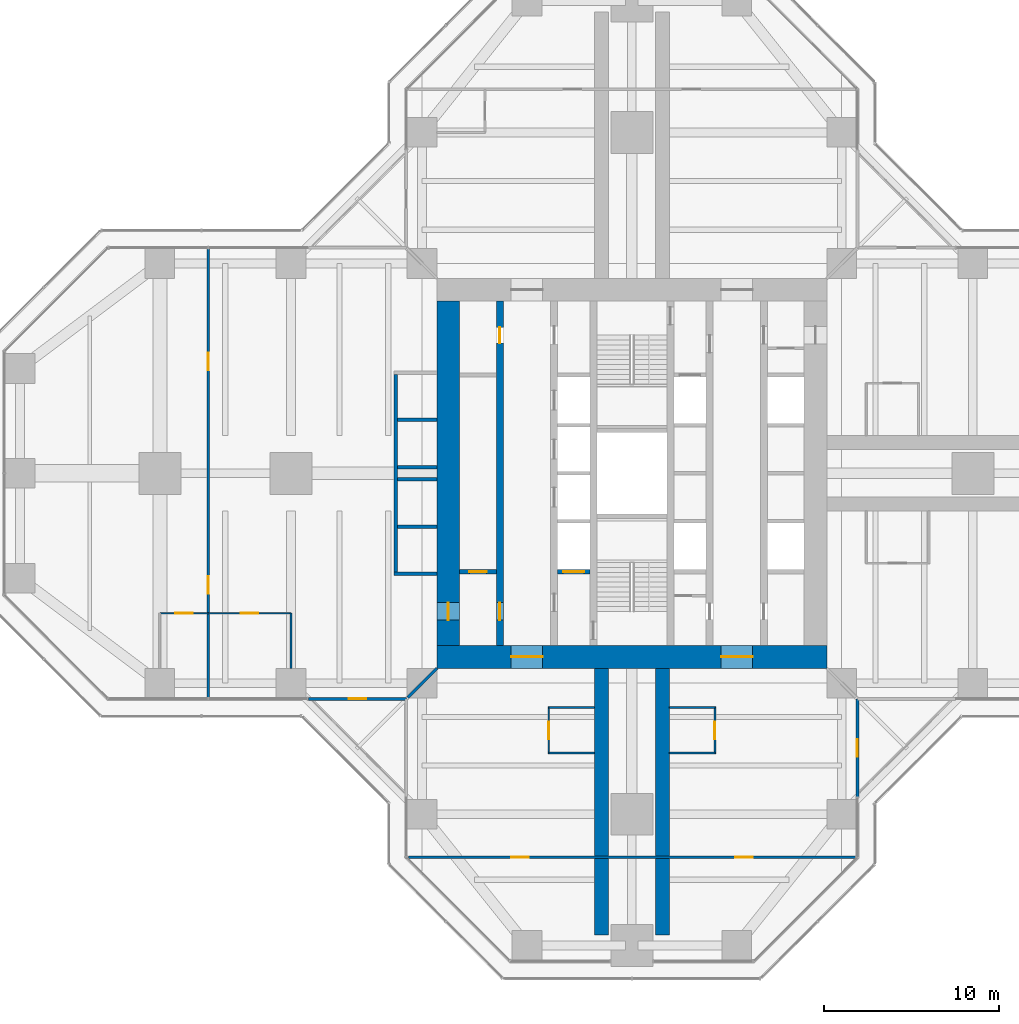
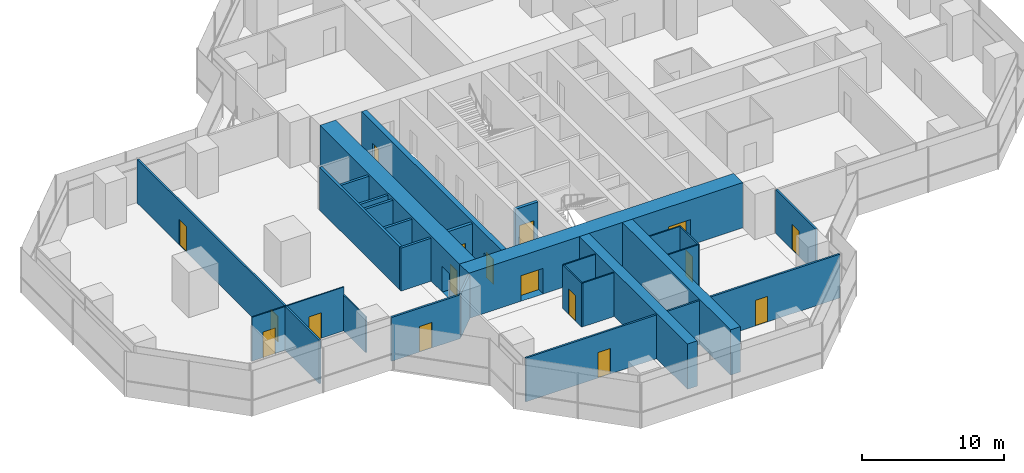
# One storey, part 15 of 20: 27 walls, 17 doors, 17 openings.
"""IFC4 building model written with IfcOpenShell, lengths in metres."""

from ifc_helpers import new_model, si_unit, direction, frame, frame_2d, origin, place, context, subcontext, project, spatial, rectangle, extrude, material, layer, layer_set, type_object, element, fill, save


model = new_model("IFC4")

# Units and contexts
model_context = context("Model", 3, precision=1e-05, world=origin(), true_north=direction((0.0, 1.0)))
body_context = subcontext(model_context, "Body", "Model", "MODEL_VIEW")
ifc_project = project(units=[si_unit("LENGTHUNIT", "METRE"), si_unit("AREAUNIT", "SQUARE_METRE"), si_unit("VOLUMEUNIT", "CUBIC_METRE"), si_unit("PLANEANGLEUNIT", "RADIAN"), si_unit("MASSUNIT", "GRAM", prefix="KILO")], contexts=[model_context])

# Site, building, storey
site_placement = place(None, origin())
site = spatial("IfcSite", under=ifc_project, at=site_placement, CompositionType="ELEMENT")
building_placement = place(site_placement, origin())
building = spatial("IfcBuilding", under=site, at=building_placement, Name="Mizan Broadcast Tower", CompositionType="ELEMENT")
storey_placement = place(building_placement, frame((0.0, 0.0, 190.5)))
storey = spatial("IfcBuildingStorey", under=building, at=storey_placement, Name="L44", CompositionType="ELEMENT", Elevation=190.5)

# Wall, openings, doors
ifc_material_1 = material(Name="Concrete C70/85", Category="concrete")
ifc_layer_1 = layer(ifc_material_1, 0.39990234375)
ifc_layer_set_1 = layer_set([ifc_layer_1], Name="Concrete C70/85")
wall_type_1 = type_object("IfcWallType", Name="CORE INTERNAL WALL 400", PredefinedType="SHEAR", material=ifc_layer_set_1)
wall_1_placement = place(storey_placement, frame((-7.550048828125, -9.85009765625, 0.0), z_axis=(0.0, 0.0, 1.0), x_axis=(0.0, 1.0, 0.0)))
wall_1 = element("IfcWall", 1, at=wall_1_placement, inside=storey, type_object=wall_type_1, Name="Core wall CORE/XW1", PredefinedType="SHEAR", context=body_context, shape_type="SweptSolid", body=[
    extrude(rectangle(XDim=19.7001953125, YDim=0.39990234375, at=frame_2d((9.85009765625, 0.0))), origin(), (0.0, 0.0, 1.0), 3.89990234375),
])
opening_1_placement = place(wall_1_placement, frame((1.449951171875, 0.0, 0.0)))
opening_1 = element("IfcOpeningElement", 2, at=opening_1_placement, cuts=wall_1, Name="Opening D10F", PredefinedType="OPENING", context=body_context, shape_type="SweptSolid", body=[
    extrude(rectangle(XDim=1.0, YDim=2.199951171875, at=frame_2d((0.5, 1.10009765625))), frame((0.0, 0.2099609375, 0.0), z_axis=(0.0, -1.0, 0.0), x_axis=(1.0, 0.0, 0.0)), (0.0, 0.0, 1.0), 0.419921875),
])
opening_2_placement = place(wall_1_placement, frame((17.300048828125, 0.0, 0.0)))
opening_2 = element("IfcOpeningElement", 3, at=opening_2_placement, cuts=wall_1, Name="Opening D09", PredefinedType="OPENING", context=body_context, shape_type="SweptSolid", body=[
    extrude(rectangle(XDim=0.89990234375, YDim=2.10009765625, at=frame_2d((0.449951171875, 1.050048828125))), frame((0.0, 0.2099609375, 0.0), z_axis=(0.0, -1.0, 0.0), x_axis=(1.0, 0.0, 0.0)), (0.0, 0.0, 1.0), 0.419921875),
])
ifc_material_2 = material(Name="Steel door leaf in steel frame", Category="steel")
door_type_1 = type_object("IfcDoorType", Name="FIRE DOOR 1000 FD90", OperationType="SINGLE_SWING_LEFT", PredefinedType="DOOR", material=ifc_material_2)
door_1_placement = place(opening_1_placement, origin())
door_1 = element("IfcDoor", 4, at=door_1_placement, inside=storey, type_object=door_type_1, Name="West core passage door", OperationType="SINGLE_SWING_LEFT", OverallHeight=2.199951171875, OverallWidth=1.0, PredefinedType="DOOR", context=body_context, shape_type="SweptSolid", body=[
    extrude(rectangle(XDim=1.0, YDim=2.199951171875, at=frame_2d((0.5, 1.10009765625))), frame((0.0, 0.02490234375, 0.0), z_axis=(0.0, -1.0, 0.0), x_axis=(1.0, 0.0, 0.0)), (0.0, 0.0, 1.0), 0.050048828125),
])
fill(opening_1, door_1)
ifc_material_3 = material(Name="Timber door leaf in aluminium frame", Category="wood")
door_type_2 = type_object("IfcDoorType", Name="TOILET DOOR 900", OperationType="SINGLE_SWING_LEFT", PredefinedType="DOOR", material=ifc_material_3)
door_2_placement = place(opening_2_placement, origin())
door_2 = element("IfcDoor", 5, at=door_2_placement, inside=storey, type_object=door_type_2, Name="Male WC door", OperationType="SINGLE_SWING_RIGHT", OverallHeight=2.10009765625, OverallWidth=0.89990234375, PredefinedType="DOOR", context=body_context, shape_type="SweptSolid", body=[
    extrude(rectangle(XDim=0.89990234375, YDim=2.10009765625, at=frame_2d((0.449951171875, 1.050048828125))), frame((0.0, 0.02490234375, 0.0), z_axis=(0.0, -1.0, 0.0), x_axis=(1.0, 0.0, 0.0)), (0.0, 0.0, 1.0), 0.050048828125),
])
fill(opening_2, door_2)

ifc_material_4 = material(Name="Concrete C70/85", Category="concrete")
ifc_layer_2 = layer(ifc_material_4, 1.300048828125)
ifc_layer_set_2 = layer_set([ifc_layer_2], Name="Concrete C70/85")
wall_type_2 = type_object("IfcWallType", Name="CORE WALL 1300", PredefinedType="SHEAR", material=ifc_layer_set_2)
wall_2_placement = place(storey_placement, frame((11.14990234375, -10.5, 0.0), z_axis=(0.0, 0.0, 1.0), x_axis=(-1.0, 0.0, 0.0)))
wall_2 = element("IfcWall", 6, at=wall_2_placement, inside=storey, type_object=wall_type_2, Name="Core wall S L44", PredefinedType="SHEAR", context=body_context, shape_type="SweptSolid", body=[
    extrude(rectangle(XDim=22.2998046875, YDim=1.300048828125, at=frame_2d((11.14990234375, 0.0))), origin(), (0.0, 0.0, 1.0), 3.89990234375),
])
opening_3_placement = place(wall_2_placement, frame((16.25, 0.0, 0.0)))
opening_3 = element("IfcOpeningElement", 7, at=opening_3_placement, cuts=wall_2, Name="Opening D18F", PredefinedType="OPENING", context=body_context, shape_type="SweptSolid", body=[
    extrude(rectangle(XDim=1.800048828125, YDim=2.199951171875, at=frame_2d((0.89990234375, 1.10009765625))), frame((0.0, 0.659912109375, 0.0), z_axis=(0.0, -1.0, 0.0), x_axis=(1.0, 0.0, 0.0)), (0.0, 0.0, 1.0), 1.320068359375),
])
opening_4_placement = place(wall_2_placement, frame((4.25, 0.0, 0.0)))
opening_4 = element("IfcOpeningElement", 8, at=opening_4_placement, cuts=wall_2, Name="Opening D18F", PredefinedType="OPENING", context=body_context, shape_type="SweptSolid", body=[
    extrude(rectangle(XDim=1.800048828125, YDim=2.199951171875, at=frame_2d((0.89990234375, 1.10009765625))), frame((0.0, 0.659912109375, 0.0), z_axis=(0.0, -1.0, 0.0), x_axis=(1.0, 0.0, 0.0)), (0.0, 0.0, 1.0), 1.320068359375),
])
ifc_material_5 = material(Name="Steel door leaf in steel frame", Category="steel")
door_type_3 = type_object("IfcDoorType", Name="LOBBY DOUBLE DOOR 1800 FD90", OperationType="DOUBLE_DOOR_DOUBLE_SWING", PredefinedType="DOOR", material=ifc_material_5)
door_3_placement = place(opening_3_placement, origin())
door_3 = element("IfcDoor", 9, at=door_3_placement, inside=storey, type_object=door_type_3, Name="West lift lobby south door", OperationType="DOUBLE_DOOR_DOUBLE_SWING", OverallHeight=2.199951171875, OverallWidth=1.800048828125, PredefinedType="DOOR", context=body_context, shape_type="SweptSolid", body=[
    extrude(rectangle(XDim=1.800048828125, YDim=2.199951171875, at=frame_2d((0.89990234375, 1.10009765625))), frame((0.0, 0.02490234375, 0.0), z_axis=(0.0, -1.0, 0.0), x_axis=(1.0, 0.0, 0.0)), (0.0, 0.0, 1.0), 0.050048828125),
])
fill(opening_3, door_3)
door_4_placement = place(opening_4_placement, origin())
door_4 = element("IfcDoor", 10, at=door_4_placement, inside=storey, type_object=door_type_3, Name="East lift lobby south door", OperationType="DOUBLE_DOOR_DOUBLE_SWING", OverallHeight=2.199951171875, OverallWidth=1.800048828125, PredefinedType="DOOR", context=body_context, shape_type="SweptSolid", body=[
    extrude(rectangle(XDim=1.800048828125, YDim=2.199951171875, at=frame_2d((0.89990234375, 1.10009765625))), frame((0.0, 0.02490234375, 0.0), z_axis=(0.0, -1.0, 0.0), x_axis=(1.0, 0.0, 0.0)), (0.0, 0.0, 1.0), 0.050048828125),
])
fill(opening_4, door_4)

# Wall, opening, door
wall_3_placement = place(storey_placement, frame((-10.5, 9.85009765625, 0.0), z_axis=(0.0, 0.0, 1.0), x_axis=(0.0, -1.0, 0.0)))
wall_3 = element("IfcWall", 11, at=wall_3_placement, inside=storey, type_object=wall_type_2, Name="Core wall W L44", PredefinedType="SHEAR", context=body_context, shape_type="SweptSolid", body=[
    extrude(rectangle(XDim=19.7001953125, YDim=1.300048828125, at=frame_2d((9.85009765625, 0.0))), origin(), (0.0, 0.0, 1.0), 3.89990234375),
])
opening_5_placement = place(wall_3_placement, frame((17.25, 0.0, 0.0)))
opening_5 = element("IfcOpeningElement", 12, at=opening_5_placement, cuts=wall_3, Name="Opening D10F", PredefinedType="OPENING", context=body_context, shape_type="SweptSolid", body=[
    extrude(rectangle(XDim=1.0, YDim=2.199951171875, at=frame_2d((0.5, 1.10009765625))), frame((0.0, 0.659912109375, 0.0), z_axis=(0.0, -1.0, 0.0), x_axis=(1.0, 0.0, 0.0)), (0.0, 0.0, 1.0), 1.320068359375),
])
door_5_placement = place(opening_5_placement, origin())
door_5 = element("IfcDoor", 13, at=door_5_placement, inside=storey, type_object=door_type_1, Name="West core passage arm door", OperationType="SINGLE_SWING_RIGHT", OverallHeight=2.199951171875, OverallWidth=1.0, PredefinedType="DOOR", context=body_context, shape_type="SweptSolid", body=[
    extrude(rectangle(XDim=1.0, YDim=2.199951171875, at=frame_2d((0.5, 1.10009765625))), frame((0.0, 0.02490234375, 0.0), z_axis=(0.0, -1.0, 0.0), x_axis=(1.0, 0.0, 0.0)), (0.0, 0.0, 1.0), 0.050048828125),
])
fill(opening_5, door_5)

ifc_material_6 = material(Name="Aluminium framed glazed screen", Category="aluminium")
ifc_layer_3 = layer(ifc_material_6, 0.159912109375)
ifc_layer_set_3 = layer_set([ifc_layer_3], Name="Aluminium framed glazed screen")
wall_type_3 = type_object("IfcWallType", Name="GLAZED SCREEN WALL 160", PredefinedType="SOLIDWALL", material=ifc_layer_set_3)
wall_4_placement = place(storey_placement, frame((-18.5, -12.89990234375, 0.0), z_axis=(0.0, 0.0, 1.0), x_axis=(1.0, 0.0, 0.0)))
wall_4 = element("IfcWall", 14, at=wall_4_placement, inside=storey, type_object=wall_type_3, Name="Winter garden screen L44 W", PredefinedType="SOLIDWALL", context=body_context, shape_type="SweptSolid", body=[
    extrude(rectangle(XDim=5.60009765625, YDim=0.159912109375, at=frame_2d((2.800048828125, 0.0))), origin(), (0.0, 0.0, 1.0), 3.77001953125),
])
opening_6_placement = place(wall_4_placement, frame((2.300048828125, 0.0, 0.0)))
opening_6 = element("IfcOpeningElement", 15, at=opening_6_placement, cuts=wall_4, Name="Opening WGD", PredefinedType="OPENING", context=body_context, shape_type="SweptSolid", body=[
    extrude(rectangle(XDim=1.0, YDim=2.199951171875, at=frame_2d((0.5, 1.10009765625))), frame((0.0, 0.08984375, 0.0), z_axis=(0.0, -1.0, 0.0), x_axis=(1.0, 0.0, 0.0)), (0.0, 0.0, 1.0), 0.179931640625),
])
ifc_material_7 = material(Name="Aluminium framed glazed door", Category="aluminium")
door_type_4 = type_object("IfcDoorType", Name="WINTER GARDEN DOOR 1000 GLAZED", OperationType="SINGLE_SWING_LEFT", PredefinedType="DOOR", material=ifc_material_7)
door_6_placement = place(opening_6_placement, origin())
door_6 = element("IfcDoor", 16, at=door_6_placement, inside=storey, type_object=door_type_4, Name="Winter garden door L44 W", OperationType="SINGLE_SWING_RIGHT", OverallHeight=2.199951171875, OverallWidth=1.0, PredefinedType="DOOR", context=body_context, shape_type="SweptSolid", body=[
    extrude(rectangle(XDim=1.0, YDim=2.199951171875, at=frame_2d((0.5, 1.10009765625))), frame((0.0, 0.02490234375, 0.0), z_axis=(0.0, -1.0, 0.0), x_axis=(1.0, 0.0, 0.0)), (0.0, 0.0, 1.0), 0.050048828125),
])
fill(opening_6, door_6)

wall_5_placement = place(storey_placement, frame((12.89990234375, -18.5, 0.0), z_axis=(0.0, 0.0, 1.0), x_axis=(0.0, 1.0, 0.0)))
wall_5 = element("IfcWall", 17, at=wall_5_placement, inside=storey, type_object=wall_type_3, Name="Winter garden screen L44 S", PredefinedType="SOLIDWALL", context=body_context, shape_type="SweptSolid", body=[
    extrude(rectangle(XDim=5.60009765625, YDim=0.159912109375, at=frame_2d((2.800048828125, 0.0))), origin(), (0.0, 0.0, 1.0), 3.77001953125),
])
opening_7_placement = place(wall_5_placement, frame((2.300048828125, 0.0, 0.0)))
opening_7 = element("IfcOpeningElement", 18, at=opening_7_placement, cuts=wall_5, Name="Opening WGD", PredefinedType="OPENING", context=body_context, shape_type="SweptSolid", body=[
    extrude(rectangle(XDim=1.0, YDim=2.199951171875, at=frame_2d((0.5, 1.10009765625))), frame((0.0, 0.08984375, 0.0), z_axis=(0.0, -1.0, 0.0), x_axis=(1.0, 0.0, 0.0)), (0.0, 0.0, 1.0), 0.179931640625),
])
door_7_placement = place(opening_7_placement, origin())
door_7 = element("IfcDoor", 19, at=door_7_placement, inside=storey, type_object=door_type_4, Name="Winter garden door L44 S", OperationType="SINGLE_SWING_RIGHT", OverallHeight=2.199951171875, OverallWidth=1.0, PredefinedType="DOOR", context=body_context, shape_type="SweptSolid", body=[
    extrude(rectangle(XDim=1.0, YDim=2.199951171875, at=frame_2d((0.5, 1.10009765625))), frame((0.0, 0.02490234375, 0.0), z_axis=(0.0, -1.0, 0.0), x_axis=(1.0, 0.0, 0.0)), (0.0, 0.0, 1.0), 0.050048828125),
])
fill(opening_7, door_7)

# Walls
ifc_material_8 = material(Name="Concrete blockwork", Category="masonry")
ifc_layer_4 = layer(ifc_material_8, 0.199951171875)
ifc_layer_set_4 = layer_set([ifc_layer_4], Name="Concrete blockwork")
wall_type_4 = type_object("IfcWallType", Name="LIFT SHAFT WALL 200", PredefinedType="SOLIDWALL", material=ifc_layer_set_4)
wall_6_placement = place(storey_placement, frame((-13.5, 5.64990234375, 0.0), z_axis=(0.0, 0.0, 1.0), x_axis=(0.0, -1.0, 0.0)))
element("IfcWall", 20, at=wall_6_placement, inside=storey, type_object=wall_type_4, Name="Lift shaft wall LC/F", PredefinedType="SOLIDWALL", context=body_context, shape_type="SweptSolid", body=[
    extrude(rectangle(XDim=11.2998046875, YDim=0.199951171875, at=frame_2d((5.64990234375, 0.0))), origin(), (0.0, 0.0, 1.0), 3.699951171875),
])
wall_7_placement = place(storey_placement, frame((-11.14990234375, -5.75, 0.0), z_axis=(0.0, 0.0, 1.0), x_axis=(-1.0, 0.0, 0.0)))
element("IfcWall", 21, at=wall_7_placement, inside=storey, type_object=wall_type_4, Name="Lift shaft wall LC/S2", PredefinedType="SOLIDWALL", context=body_context, shape_type="SweptSolid", body=[
    extrude(rectangle(XDim=2.4501953125, YDim=0.199951171875, at=frame_2d((1.22509765625, 0.0))), origin(), (0.0, 0.0, 1.0), 3.699951171875),
])
for number, where, z_axis, x_axis, name in (
    (22, (-11.14990234375, 3.050048828125, 0.0), (0.0, 0.0, 1.0), (-1.0, 0.0, 0.0), "Lift shaft wall LC/SP1"),
    (23, (-11.14990234375, 0.35009765625, 0.0), (0.0, 0.0, 1.0), (-1.0, 0.0, 0.0), "Lift shaft wall LC/SP2"),
    (24, (-11.14990234375, -0.35009765625, 0.0), (0.0, 0.0, 1.0), (-1.0, 0.0, 0.0), "Lift shaft wall LC/SP3"),
    (25, (-11.14990234375, -3.050048828125, 0.0), (0.0, 0.0, 1.0), (-1.0, 0.0, 0.0), "Lift shaft wall LC/SP4"),
):
    element("IfcWall", number, at=place(storey_placement, frame(where, z_axis=z_axis, x_axis=x_axis)), inside=storey, type_object=wall_type_4, Name=name, PredefinedType="SOLIDWALL", context=body_context, shape_type="SweptSolid", body=[
        extrude(rectangle(XDim=2.25, YDim=0.199951171875, at=frame_2d((1.125, 0.0))), origin(), (0.0, 0.0, 1.0), 3.699951171875),
    ])

# Wall, opening, door
ifc_material_9 = material(Name="Concrete blockwork", Category="masonry")
ifc_layer_5 = layer(ifc_material_9, 0.25)
ifc_layer_set_5 = layer_set([ifc_layer_5], Name="Concrete blockwork")
wall_type_5 = type_object("IfcWallType", Name="LOBBY ENCLOSURE WALL 250", PredefinedType="SOLIDWALL", material=ifc_layer_set_5)
wall_8_placement = place(storey_placement, frame((-9.85009765625, -5.625, 0.0), z_axis=(0.0, 0.0, 1.0), x_axis=(1.0, 0.0, 0.0)))
wall_8 = element("IfcWall", 26, at=wall_8_placement, inside=storey, type_object=wall_type_5, Name="Lobby enclosure wall CORE/BW1S", PredefinedType="SOLIDWALL", context=body_context, shape_type="SweptSolid", body=[
    extrude(rectangle(XDim=2.10009765625, YDim=0.25, at=frame_2d((1.050048828125, 0.0))), origin(), (0.0, 0.0, 1.0), 3.699951171875),
])
opening_8_placement = place(wall_8_placement, frame((0.550048828125, 0.0, 0.0)))
opening_8 = element("IfcOpeningElement", 27, at=opening_8_placement, cuts=wall_8, Name="Opening D10F", PredefinedType="OPENING", context=body_context, shape_type="SweptSolid", body=[
    extrude(rectangle(XDim=1.0, YDim=2.199951171875, at=frame_2d((0.5, 1.10009765625))), frame((0.0, 0.135009765625, 0.0), z_axis=(0.0, -1.0, 0.0), x_axis=(1.0, 0.0, 0.0)), (0.0, 0.0, 1.0), 0.27001953125),
])
door_8_placement = place(opening_8_placement, origin())
door_8 = element("IfcDoor", 28, at=door_8_placement, inside=storey, type_object=door_type_1, Name="Furniture store door", OperationType="SINGLE_SWING_RIGHT", OverallHeight=2.199951171875, OverallWidth=1.0, PredefinedType="DOOR", context=body_context, shape_type="SweptSolid", body=[
    extrude(rectangle(XDim=1.0, YDim=2.199951171875, at=frame_2d((0.5, 1.10009765625))), frame((0.0, 0.02490234375, 0.0), z_axis=(0.0, -1.0, 0.0), x_axis=(1.0, 0.0, 0.0)), (0.0, 0.0, 1.0), 0.050048828125),
])
fill(opening_8, door_8)

wall_9_placement = place(storey_placement, frame((-4.25, -5.625, 0.0), z_axis=(0.0, 0.0, 1.0), x_axis=(1.0, 0.0, 0.0)))
wall_9 = element("IfcWall", 29, at=wall_9_placement, inside=storey, type_object=wall_type_5, Name="Lobby enclosure wall CORE/BW2S", PredefinedType="SOLIDWALL", context=body_context, shape_type="SweptSolid", body=[
    extrude(rectangle(XDim=1.85009765625, YDim=0.25, at=frame_2d((0.925048828125, 0.0))), origin(), (0.0, 0.0, 1.0), 3.699951171875),
])
opening_9_placement = place(wall_9_placement, frame((0.324951171875, 0.0, 0.0)))
opening_9 = element("IfcOpeningElement", 30, at=opening_9_placement, cuts=wall_9, Name="Opening LDF", PredefinedType="OPENING", context=body_context, shape_type="SweptSolid", body=[
    extrude(rectangle(XDim=1.199951171875, YDim=2.199951171875, at=frame_2d((0.60009765625, 1.10009765625))), frame((0.0, 0.135009765625, 0.0), z_axis=(0.0, -1.0, 0.0), x_axis=(1.0, 0.0, 0.0)), (0.0, 0.0, 1.0), 0.27001953125),
])
ifc_material_10 = material(Name="Steel door leaf in steel frame", Category="steel")
door_type_5 = type_object("IfcDoorType", Name="FIREFIGHTING LIFT LANDING DOOR 1200", OperationType="SLIDING_TO_LEFT", PredefinedType="DOOR", material=ifc_material_10)
door_9_placement = place(opening_9_placement, origin())
door_9 = element("IfcDoor", 31, at=door_9_placement, inside=storey, type_object=door_type_5, Name="Landing door FF1", OperationType="SLIDING_TO_LEFT", OverallHeight=2.199951171875, OverallWidth=1.199951171875, PredefinedType="DOOR", context=body_context, shape_type="SweptSolid", body=[
    extrude(rectangle(XDim=1.199951171875, YDim=2.199951171875, at=frame_2d((0.60009765625, 1.10009765625))), frame((0.0, 0.02490234375, 0.0), z_axis=(0.0, -1.0, 0.0), x_axis=(1.0, 0.0, 0.0)), (0.0, 0.0, 1.0), 0.050048828125),
])
fill(opening_9, door_9)

# Wall, openings, doors
ifc_material_11 = material(Name="Gypsum board on steel studs", Category="steel")
ifc_layer_6 = layer(ifc_material_11, 0.14990234375)
ifc_layer_set_6 = layer_set([ifc_layer_6], Name="Gypsum board on steel studs")
wall_type_6 = type_object("IfcWallType", Name="PARTITION 150", PredefinedType="PARTITIONING", material=ifc_layer_set_6)
wall_10_placement = place(storey_placement, frame((-24.22900390625, 12.820068359375, 0.0), z_axis=(0.0, 0.0, 1.0), x_axis=(0.0, -1.0, 0.0)))
wall_10 = element("IfcWall", 32, at=wall_10_placement, inside=storey, type_object=wall_type_6, Name="Partition PT/WX1", PredefinedType="PARTITIONING", context=body_context, shape_type="SweptSolid", body=[
    extrude(rectangle(XDim=25.64013671875, YDim=0.14990234375, at=frame_2d((12.820068359375, 0.0))), origin(), (0.0, 0.0, 1.0), 3.77001953125),
])
opening_10_placement = place(wall_10_placement, frame((18.719970703125, 0.0, 0.0)))
opening_10 = element("IfcOpeningElement", 33, at=opening_10_placement, cuts=wall_10, Name="Opening D10", PredefinedType="OPENING", context=body_context, shape_type="SweptSolid", body=[
    extrude(rectangle(XDim=1.0, YDim=2.199951171875, at=frame_2d((0.5, 1.10009765625))), frame((0.0, 0.0849609375, 0.0), z_axis=(0.0, -1.0, 0.0), x_axis=(1.0, 0.0, 0.0)), (0.0, 0.0, 1.0), 0.169921875),
])
opening_11_placement = place(wall_10_placement, frame((5.919921875, 0.0, 0.0)))
opening_11 = element("IfcOpeningElement", 34, at=opening_11_placement, cuts=wall_10, Name="Opening D10", PredefinedType="OPENING", context=body_context, shape_type="SweptSolid", body=[
    extrude(rectangle(XDim=1.0, YDim=2.199951171875, at=frame_2d((0.5, 1.10009765625))), frame((0.0, 0.0849609375, 0.0), z_axis=(0.0, -1.0, 0.0), x_axis=(1.0, 0.0, 0.0)), (0.0, 0.0, 1.0), 0.169921875),
])
ifc_material_12 = material(Name="Timber door leaf in aluminium frame", Category="wood")
door_type_6 = type_object("IfcDoorType", Name="ROOM DOOR 1000", OperationType="SINGLE_SWING_LEFT", PredefinedType="DOOR", material=ifc_material_12)
door_10_placement = place(opening_10_placement, origin())
door_10 = element("IfcDoor", 35, at=door_10_placement, inside=storey, type_object=door_type_6, Name="Meeting room door", OperationType="SINGLE_SWING_RIGHT", OverallHeight=2.199951171875, OverallWidth=1.0, PredefinedType="DOOR", context=body_context, shape_type="SweptSolid", body=[
    extrude(rectangle(XDim=1.0, YDim=2.199951171875, at=frame_2d((0.5, 1.10009765625))), frame((0.0, 0.02490234375, 0.0), z_axis=(0.0, -1.0, 0.0), x_axis=(1.0, 0.0, 0.0)), (0.0, 0.0, 1.0), 0.050048828125),
])
fill(opening_10, door_10)
door_11_placement = place(opening_11_placement, origin())
door_11 = element("IfcDoor", 36, at=door_11_placement, inside=storey, type_object=door_type_6, Name="Meeting room door", OperationType="SINGLE_SWING_LEFT", OverallHeight=2.199951171875, OverallWidth=1.0, PredefinedType="DOOR", context=body_context, shape_type="SweptSolid", body=[
    extrude(rectangle(XDim=1.0, YDim=2.199951171875, at=frame_2d((0.5, 1.10009765625))), frame((0.0, 0.02490234375, 0.0), z_axis=(0.0, -1.0, 0.0), x_axis=(1.0, 0.0, 0.0)), (0.0, 0.0, 1.0), 0.050048828125),
])
fill(opening_11, door_11)

wall_11_placement = place(storey_placement, frame((-12.786376953125, -21.958984375, 0.0), z_axis=(0.0, 0.0, 1.0), x_axis=(1.0, 0.0, 0.0)))
wall_11 = element("IfcWall", 37, at=wall_11_placement, inside=storey, type_object=wall_type_6, Name="Partition PT/SX1", PredefinedType="PARTITIONING", context=body_context, shape_type="SweptSolid", body=[
    extrude(rectangle(XDim=25.57275390625, YDim=0.14990234375, at=frame_2d((12.786376953125, 0.0))), origin(), (0.0, 0.0, 1.0), 3.77001953125),
])
opening_12_placement = place(wall_11_placement, frame((18.6865234375, 0.0, 0.0)))
opening_12 = element("IfcOpeningElement", 38, at=opening_12_placement, cuts=wall_11, Name="Opening D10", PredefinedType="OPENING", context=body_context, shape_type="SweptSolid", body=[
    extrude(rectangle(XDim=1.0, YDim=2.199951171875, at=frame_2d((0.5, 1.10009765625))), frame((0.0, 0.0849609375, 0.0), z_axis=(0.0, -1.0, 0.0), x_axis=(1.0, 0.0, 0.0)), (0.0, 0.0, 1.0), 0.169921875),
])
opening_13_placement = place(wall_11_placement, frame((5.886474609375, 0.0, 0.0)))
opening_13 = element("IfcOpeningElement", 39, at=opening_13_placement, cuts=wall_11, Name="Opening D10", PredefinedType="OPENING", context=body_context, shape_type="SweptSolid", body=[
    extrude(rectangle(XDim=1.0, YDim=2.199951171875, at=frame_2d((0.5, 1.10009765625))), frame((0.0, 0.0849609375, 0.0), z_axis=(0.0, -1.0, 0.0), x_axis=(1.0, 0.0, 0.0)), (0.0, 0.0, 1.0), 0.169921875),
])
door_12_placement = place(opening_12_placement, origin())
door_12 = element("IfcDoor", 40, at=door_12_placement, inside=storey, type_object=door_type_6, Name="Meeting room door", OperationType="SINGLE_SWING_RIGHT", OverallHeight=2.199951171875, OverallWidth=1.0, PredefinedType="DOOR", context=body_context, shape_type="SweptSolid", body=[
    extrude(rectangle(XDim=1.0, YDim=2.199951171875, at=frame_2d((0.5, 1.10009765625))), frame((0.0, 0.02490234375, 0.0), z_axis=(0.0, -1.0, 0.0), x_axis=(1.0, 0.0, 0.0)), (0.0, 0.0, 1.0), 0.050048828125),
])
fill(opening_12, door_12)
door_13_placement = place(opening_13_placement, origin())
door_13 = element("IfcDoor", 41, at=door_13_placement, inside=storey, type_object=door_type_6, Name="Meeting room door", OperationType="SINGLE_SWING_LEFT", OverallHeight=2.199951171875, OverallWidth=1.0, PredefinedType="DOOR", context=body_context, shape_type="SweptSolid", body=[
    extrude(rectangle(XDim=1.0, YDim=2.199951171875, at=frame_2d((0.5, 1.10009765625))), frame((0.0, 0.02490234375, 0.0), z_axis=(0.0, -1.0, 0.0), x_axis=(1.0, 0.0, 0.0)), (0.0, 0.0, 1.0), 0.050048828125),
])
fill(opening_13, door_13)

# Wall
wall_12_placement = place(storey_placement, frame((-11.14990234375, -11.14990234375, 0.0), z_axis=(0.0, 0.0, 1.0), x_axis=(-0.707106781187, -0.707106781187, 0.0)))
element("IfcWall", 42, at=wall_12_placement, inside=storey, type_object=wall_type_6, Name="Partition PT/DGWS", PredefinedType="PARTITIONING", context=body_context, shape_type="SweptSolid", body=[
    extrude(rectangle(XDim=2.362060546875, YDim=0.14990234375, at=frame_2d((1.18115234375, 0.0))), origin(), (0.0, 0.0, 1.0), 3.77001953125),
])

# Wall, opening, door
ifc_material_13 = material(Name="Glazed aluminium partition on aluminium track", Category="aluminium")
ifc_layer_7 = layer(ifc_material_13, 0.10009765625)
ifc_layer_set_7 = layer_set([ifc_layer_7], Name="Glazed aluminium partition on aluminium track")
wall_type_7 = type_object("IfcWallType", Name="PARTITION GLAZED OFFICE FRONT 100", PredefinedType="PARTITIONING", material=ifc_layer_set_7)
wall_13_placement = place(storey_placement, frame((-19.5, -8.0, 0.0), z_axis=(0.0, 0.0, 1.0), x_axis=(-1.0, 0.0, 0.0)))
wall_13 = element("IfcWall", 43, at=wall_13_placement, inside=storey, type_object=wall_type_7, Name="Glazed office front PT/WCP0", PredefinedType="PARTITIONING", context=body_context, shape_type="SweptSolid", body=[
    extrude(rectangle(XDim=4.72900390625, YDim=0.10009765625, at=frame_2d((2.364501953125, 0.0))), origin(), (0.0, 0.0, 1.0), 3.77001953125),
])
opening_14_placement = place(wall_13_placement, frame((1.864501953125, 0.0, 0.0)))
opening_14 = element("IfcOpeningElement", 44, at=opening_14_placement, cuts=wall_13, Name="Opening D10O", PredefinedType="OPENING", context=body_context, shape_type="SweptSolid", body=[
    extrude(rectangle(XDim=1.0, YDim=2.199951171875, at=frame_2d((0.5, 1.10009765625))), frame((0.0, 0.06005859375, 0.0), z_axis=(0.0, -1.0, 0.0), x_axis=(1.0, 0.0, 0.0)), (0.0, 0.0, 1.0), 0.1201171875),
])
ifc_material_14 = material(Name="Timber door leaf in aluminium frame", Category="wood")
door_type_7 = type_object("IfcDoorType", Name="OFFICE DOOR 1000 GLAZED", OperationType="SINGLE_SWING_LEFT", PredefinedType="DOOR", material=ifc_material_14)
door_14_placement = place(opening_14_placement, origin())
door_14 = element("IfcDoor", 45, at=door_14_placement, inside=storey, type_object=door_type_7, Name="Office door", OperationType="SINGLE_SWING_LEFT", OverallHeight=2.199951171875, OverallWidth=1.0, PredefinedType="DOOR", context=body_context, shape_type="SweptSolid", body=[
    extrude(rectangle(XDim=1.0, YDim=2.199951171875, at=frame_2d((0.5, 1.10009765625))), frame((0.0, 0.02490234375, 0.0), z_axis=(0.0, -1.0, 0.0), x_axis=(1.0, 0.0, 0.0)), (0.0, 0.0, 1.0), 0.050048828125),
])
fill(opening_14, door_14)

wall_14_placement = place(storey_placement, frame((-24.22900390625, -8.0, 0.0), z_axis=(0.0, 0.0, 1.0), x_axis=(-1.0, 0.0, 0.0)))
wall_14 = element("IfcWall", 46, at=wall_14_placement, inside=storey, type_object=wall_type_7, Name="Glazed office front PT/WCP1", PredefinedType="PARTITIONING", context=body_context, shape_type="SweptSolid", body=[
    extrude(rectangle(XDim=2.77099609375, YDim=0.10009765625, at=frame_2d((1.385498046875, 0.0))), origin(), (0.0, 0.0, 1.0), 3.77001953125),
])
opening_15_placement = place(wall_14_placement, frame((0.885498046875, 0.0, 0.0)))
opening_15 = element("IfcOpeningElement", 47, at=opening_15_placement, cuts=wall_14, Name="Opening D10O", PredefinedType="OPENING", context=body_context, shape_type="SweptSolid", body=[
    extrude(rectangle(XDim=1.0, YDim=2.199951171875, at=frame_2d((0.5, 1.10009765625))), frame((0.0, 0.06005859375, 0.0), z_axis=(0.0, -1.0, 0.0), x_axis=(1.0, 0.0, 0.0)), (0.0, 0.0, 1.0), 0.1201171875),
])
door_15_placement = place(opening_15_placement, origin())
door_15 = element("IfcDoor", 48, at=door_15_placement, inside=storey, type_object=door_type_7, Name="Office door", OperationType="SINGLE_SWING_LEFT", OverallHeight=2.199951171875, OverallWidth=1.0, PredefinedType="DOOR", context=body_context, shape_type="SweptSolid", body=[
    extrude(rectangle(XDim=1.0, YDim=2.199951171875, at=frame_2d((0.5, 1.10009765625))), frame((0.0, 0.02490234375, 0.0), z_axis=(0.0, -1.0, 0.0), x_axis=(1.0, 0.0, 0.0)), (0.0, 0.0, 1.0), 0.050048828125),
])
fill(opening_15, door_15)

# Walls
wall_15_placement = place(storey_placement, frame((-19.5, -8.0, 0.0), z_axis=(0.0, 0.0, 1.0), x_axis=(0.0, -1.0, 0.0)))
element("IfcWall", 49, at=wall_15_placement, inside=storey, type_object=wall_type_7, Name="Glazed office front PT/WQP1950", PredefinedType="PARTITIONING", context=body_context, shape_type="SweptSolid", body=[
    extrude(rectangle(XDim=3.14990234375, YDim=0.10009765625, at=frame_2d((1.574951171875, 0.0))), origin(), (0.0, 0.0, 1.0), 3.080078125),
])
for number, where, z_axis, x_axis, name in (
    (50, (2.14990234375, -13.39990234375, 0.0), (0.0, 0.0, 1.0), (1.0, 0.0, 0.0), "Glazed office front PT/SKP0a"),
    (51, (2.14990234375, -16.0, 0.0), (0.0, 0.0, 1.0), (1.0, 0.0, 0.0), "Glazed office front PT/SKP0b"),
):
    element("IfcWall", number, at=place(storey_placement, frame(where, z_axis=z_axis, x_axis=x_axis)), inside=storey, type_object=wall_type_7, Name=name, PredefinedType="PARTITIONING", context=body_context, shape_type="SweptSolid", body=[
        extrude(rectangle(XDim=2.60009765625, YDim=0.10009765625, at=frame_2d((1.300048828125, 0.0))), origin(), (0.0, 0.0, 1.0), 3.77001953125),
    ])

# Wall, opening, door
wall_16_placement = place(storey_placement, frame((4.75, -13.35009765625, 0.0), z_axis=(0.0, 0.0, 1.0), x_axis=(0.0, -1.0, 0.0)))
wall_16 = element("IfcWall", 52, at=wall_16_placement, inside=storey, type_object=wall_type_7, Name="Glazed office front PT/SKP0f", PredefinedType="PARTITIONING", context=body_context, shape_type="SweptSolid", body=[
    extrude(rectangle(XDim=2.699951171875, YDim=0.10009765625, at=frame_2d((1.35009765625, 0.0))), origin(), (0.0, 0.0, 1.0), 3.77001953125),
])
opening_16_placement = place(wall_16_placement, frame((0.85009765625, 0.0, 0.0)))
opening_16 = element("IfcOpeningElement", 53, at=opening_16_placement, cuts=wall_16, Name="Opening D10O", PredefinedType="OPENING", context=body_context, shape_type="SweptSolid", body=[
    extrude(rectangle(XDim=1.0, YDim=2.199951171875, at=frame_2d((0.5, 1.10009765625))), frame((0.0, 0.06005859375, 0.0), z_axis=(0.0, -1.0, 0.0), x_axis=(1.0, 0.0, 0.0)), (0.0, 0.0, 1.0), 0.1201171875),
])
door_16_placement = place(opening_16_placement, origin())
door_16 = element("IfcDoor", 54, at=door_16_placement, inside=storey, type_object=door_type_7, Name="Meeting room door", OperationType="SINGLE_SWING_LEFT", OverallHeight=2.199951171875, OverallWidth=1.0, PredefinedType="DOOR", context=body_context, shape_type="SweptSolid", body=[
    extrude(rectangle(XDim=1.0, YDim=2.199951171875, at=frame_2d((0.5, 1.10009765625))), frame((0.0, 0.02490234375, 0.0), z_axis=(0.0, -1.0, 0.0), x_axis=(1.0, 0.0, 0.0)), (0.0, 0.0, 1.0), 0.050048828125),
])
fill(opening_16, door_16)

# Walls
for number, where, z_axis, x_axis, name in (
    (55, (-2.14990234375, -13.39990234375, 0.0), (0.0, 0.0, 1.0), (-1.0, 0.0, 0.0), "Glazed office front PT/SKN0a"),
    (56, (-2.14990234375, -16.0, 0.0), (0.0, 0.0, 1.0), (-1.0, 0.0, 0.0), "Glazed office front PT/SKN0b"),
):
    element("IfcWall", number, at=place(storey_placement, frame(where, z_axis=z_axis, x_axis=x_axis)), inside=storey, type_object=wall_type_7, Name=name, PredefinedType="PARTITIONING", context=body_context, shape_type="SweptSolid", body=[
        extrude(rectangle(XDim=2.60009765625, YDim=0.10009765625, at=frame_2d((1.300048828125, 0.0))), origin(), (0.0, 0.0, 1.0), 3.77001953125),
    ])

# Wall, opening, door
wall_17_placement = place(storey_placement, frame((-4.75, -13.35009765625, 0.0), z_axis=(0.0, 0.0, 1.0), x_axis=(0.0, -1.0, 0.0)))
wall_17 = element("IfcWall", 57, at=wall_17_placement, inside=storey, type_object=wall_type_7, Name="Glazed office front PT/SKN0f", PredefinedType="PARTITIONING", context=body_context, shape_type="SweptSolid", body=[
    extrude(rectangle(XDim=2.699951171875, YDim=0.10009765625, at=frame_2d((1.35009765625, 0.0))), origin(), (0.0, 0.0, 1.0), 3.77001953125),
])
opening_17_placement = place(wall_17_placement, frame((0.85009765625, 0.0, 0.0)))
opening_17 = element("IfcOpeningElement", 58, at=opening_17_placement, cuts=wall_17, Name="Opening D10O", PredefinedType="OPENING", context=body_context, shape_type="SweptSolid", body=[
    extrude(rectangle(XDim=1.0, YDim=2.199951171875, at=frame_2d((0.5, 1.10009765625))), frame((0.0, 0.06005859375, 0.0), z_axis=(0.0, -1.0, 0.0), x_axis=(1.0, 0.0, 0.0)), (0.0, 0.0, 1.0), 0.1201171875),
])
door_17_placement = place(opening_17_placement, origin())
door_17 = element("IfcDoor", 59, at=door_17_placement, inside=storey, type_object=door_type_7, Name="Meeting room door", OperationType="SINGLE_SWING_LEFT", OverallHeight=2.199951171875, OverallWidth=1.0, PredefinedType="DOOR", context=body_context, shape_type="SweptSolid", body=[
    extrude(rectangle(XDim=1.0, YDim=2.199951171875, at=frame_2d((0.5, 1.10009765625))), frame((0.0, 0.02490234375, 0.0), z_axis=(0.0, -1.0, 0.0), x_axis=(1.0, 0.0, 0.0)), (0.0, 0.0, 1.0), 0.050048828125),
])
fill(opening_17, door_17)

# Walls
ifc_material_15 = material(Name="Concrete C70/85", Category="concrete")
ifc_layer_8 = layer(ifc_material_15, 0.800048828125)
ifc_layer_set_8 = layer_set([ifc_layer_8], Name="Concrete C70/85")
wall_type_8 = type_object("IfcWallType", Name="SPINE WALL 800", PredefinedType="SHEAR", material=ifc_layer_set_8)
for number, where, z_axis, x_axis, name in (
    (60, (-1.75, -11.14990234375, 0.0), (0.0, 0.0, 1.0), (0.0, -1.0, 0.0), "Spine wall SR L44"),
    (61, (1.75, -11.14990234375, 0.0), (0.0, 0.0, 1.0), (0.0, -1.0, 0.0), "Spine wall SL L44"),
):
    element("IfcWall", number, at=place(storey_placement, frame(where, z_axis=z_axis, x_axis=x_axis)), inside=storey, type_object=wall_type_8, Name=name, PredefinedType="SHEAR", context=body_context, shape_type="SweptSolid", body=[
        extrude(rectangle(XDim=15.25, YDim=0.800048828125, at=frame_2d((7.625, 0.0))), origin(), (0.0, 0.0, 1.0), 3.89990234375),
    ])

save(model, "model.ifc")
